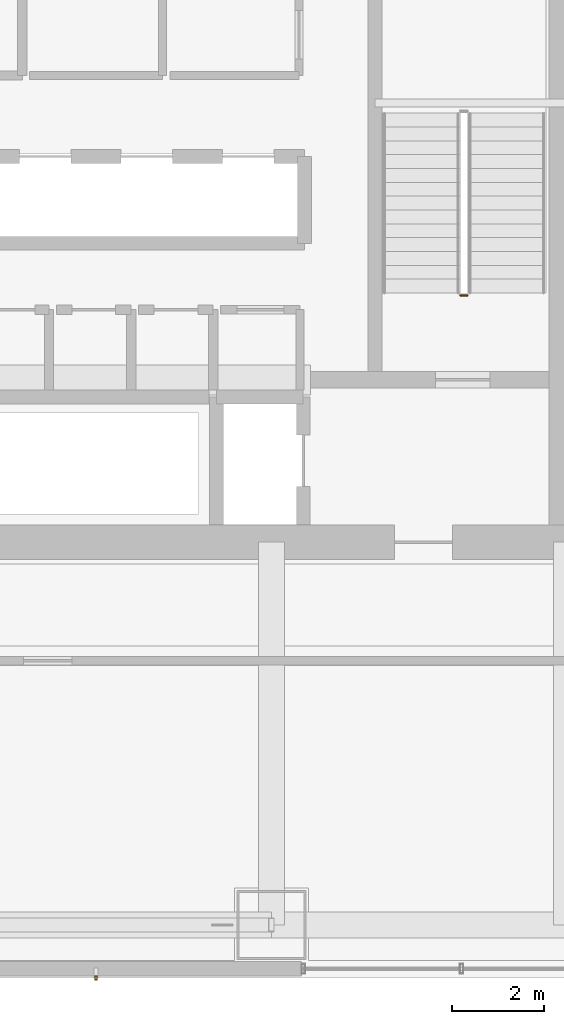
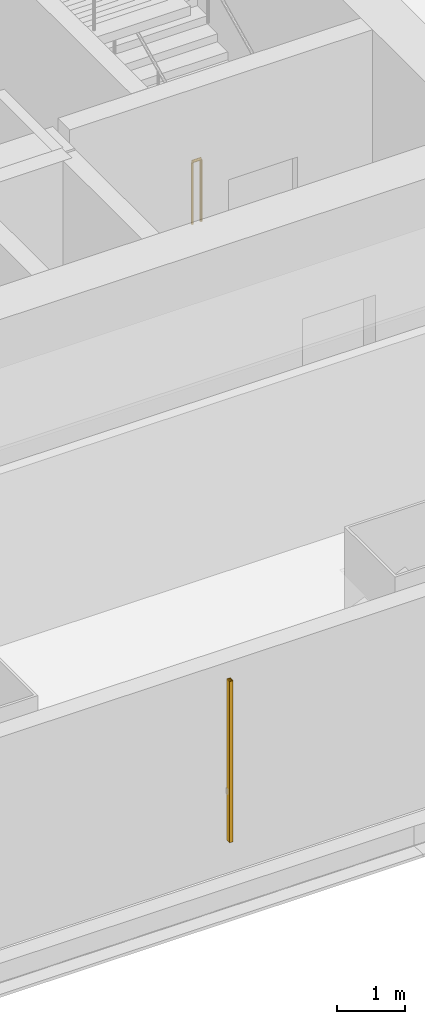
# One storey, part 31 of 37: 1 railing, 1 shading device.
"""IFC4 building model written with IfcOpenShell, lengths in metres."""

from ifc_helpers import new_model, si_unit, direction, frame, origin, origin_2d, place, context, subcontext, project, spatial, hollow_rectangle, circle, extrude, material, material_profile, profile_set, type_object, element, save


model = new_model("IFC4")

# Units and contexts
model_context = context("Model", 3, precision=1e-05, world=origin(), true_north=direction((0.0, 1.0)))
body_context = subcontext(model_context, "Body", "Model", "MODEL_VIEW")
ifc_project = project(units=[si_unit("LENGTHUNIT", "METRE"), si_unit("AREAUNIT", "SQUARE_METRE"), si_unit("VOLUMEUNIT", "CUBIC_METRE"), si_unit("PLANEANGLEUNIT", "RADIAN"), si_unit("MASSUNIT", "GRAM", prefix="KILO")], contexts=[model_context])

# Site, building, storey
site_placement = place(None, origin())
site = spatial("IfcSite", under=ifc_project, at=site_placement, CompositionType="ELEMENT")
building_placement = place(site_placement, origin())
building = spatial("IfcBuilding", under=site, at=building_placement, Name="Punatoya Terracotta Tower", CompositionType="ELEMENT")
storey_placement = place(building_placement, frame((0.0, 0.0, 109.199951171875)))
storey = spatial("IfcBuildingStorey", under=building, at=storey_placement, Name="L25", CompositionType="ELEMENT", Elevation=109.199951171875)

# Railing
ifc_material_1 = material(Name="Steel S355", Category="steel")
railing_type = type_object("IfcRailingType", Name="RLG-GRD-1150", PredefinedType="GUARDRAIL", material=ifc_material_1)
railing_placement = place(storey_placement, frame((8.050048828125, -3.85009765625, 0.0)))
element("IfcRailing", 1, at=railing_placement, inside=storey, type_object=railing_type, Name="L25 ST-2 stair guard 4", PredefinedType="GUARDRAIL", context=body_context, shape_type="SweptSolid", body=[
    extrude(circle(Radius=0.02392578125, at=origin_2d()), frame((0.0, 0.0, 1.1259765625), z_axis=(-1.0, 0.0, 0.0), x_axis=(0.0, -1.0, 0.0)), (0.0, 0.0, 1.0), 0.150146484375),
    extrude(circle(Radius=0.02099609375, at=origin_2d()), origin(), (0.0, 0.0, 1.0), 1.101806640625),
    extrude(circle(Radius=0.02099609375, at=origin_2d()), frame((-0.150146484375, 0.0, 0.0)), (0.0, 0.0, 1.0), 1.101806640625),
])

# Shading device
ifc_material_2 = material(Name="Architectural Fired Terracotta", Category="masonry")
ifc_material_profile = material_profile(ifc_material_2, hollow_rectangle(XDim=0.06005859375, YDim=0.090087890625, WallThickness=0.013916015625, at=origin_2d()))
ifc_profile_set = profile_set([ifc_material_profile], Name="Architectural Fired Terracotta")
shading_device_type = type_object("IfcShadingDeviceType", Name="SHD-JALI-90", PredefinedType="JALOUSIE", material=ifc_profile_set)
shading_device_placement = place(storey_placement, frame((0.0, -18.64990234375, 0.60009765625), z_axis=(0.0, 0.0, 1.0), x_axis=(1.0, 0.0, 0.0)))
element("IfcShadingDevice", 2, at=shading_device_placement, inside=storey, type_object=shading_device_type, Name="L25 Braced Bay Terracotta Jali Fin S1", PredefinedType="JALOUSIE", context=body_context, shape_type="SweptSolid", body=[
    extrude(hollow_rectangle(XDim=0.06005859375, YDim=0.090087890625, WallThickness=0.013916015625, at=origin_2d()), origin(), (0.0, 0.0, 1.0), 2.909912109375),
])

save(model, "model.ifc")
